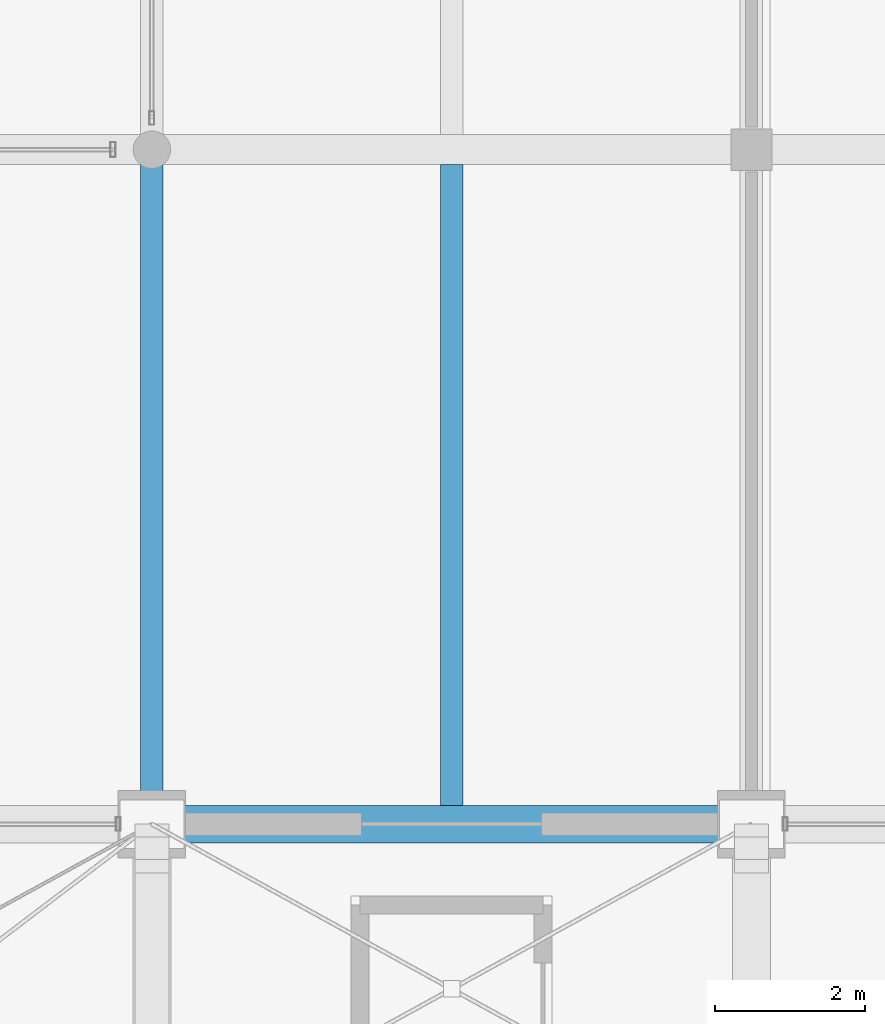
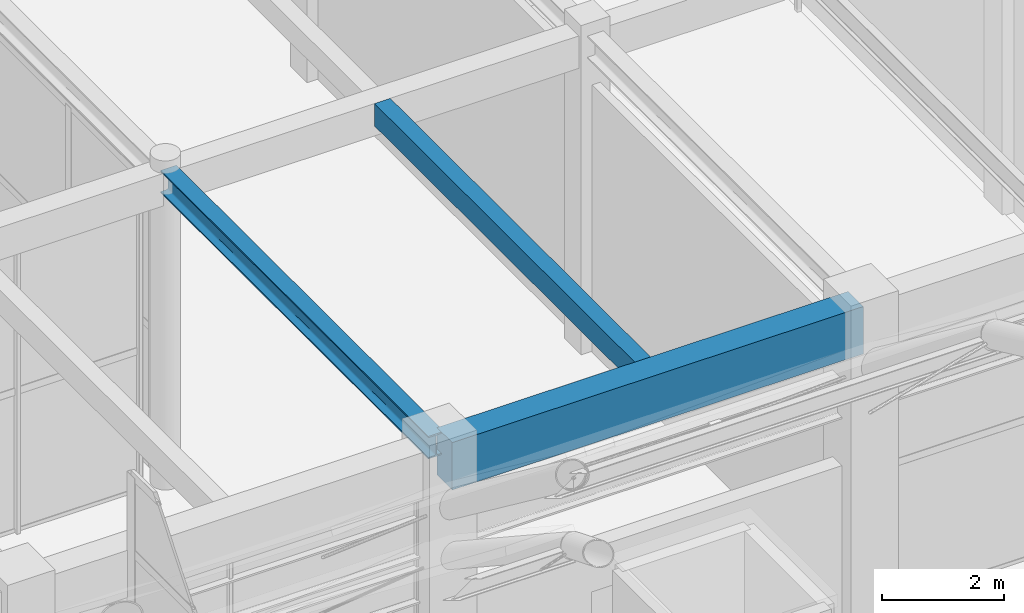
# One storey, part 80 of 163: 3 beams.
"""IFC4 building model written with IfcOpenShell, lengths in metres."""

from ifc_helpers import new_model, si_unit, direction, frame, origin, origin_2d, place, context, subcontext, project, spatial, rectangle, i_section, extrude, material, material_profile, profile_set, type_object, element, save


model = new_model("IFC4")

# Units and contexts
model_context = context("Model", 3, precision=1e-05, world=origin(), true_north=direction((0.0, 1.0)))
body_context = subcontext(model_context, "Body", "Model", "MODEL_VIEW")
ifc_project = project(units=[si_unit("LENGTHUNIT", "METRE"), si_unit("AREAUNIT", "SQUARE_METRE"), si_unit("VOLUMEUNIT", "CUBIC_METRE"), si_unit("PLANEANGLEUNIT", "RADIAN"), si_unit("MASSUNIT", "GRAM", prefix="KILO")], contexts=[model_context])

# Site, building, storey
site_placement = place(None, origin())
site = spatial("IfcSite", under=ifc_project, at=site_placement, CompositionType="ELEMENT")
building_placement = place(site_placement, origin())
building = spatial("IfcBuilding", under=site, at=building_placement, Name="Varnabhumi Central Station", CompositionType="ELEMENT")
storey_placement = place(building_placement, frame((0.0, 0.0, 9.60009765625)))
storey = spatial("IfcBuildingStorey", under=building, at=storey_placement, Name="L02", CompositionType="ELEMENT", Elevation=9.60009765625)

# Beams
ifc_material_1 = material(Name="Concrete M40", Category="concrete")
ifc_material_profile_1 = material_profile(ifc_material_1, rectangle(XDim=0.300048828125, YDim=0.449951171875, at=origin_2d()), Name="Concrete M40", Category="concrete")
ifc_profile_set_1 = profile_set([ifc_material_profile_1], Name="Concrete M40")
beam_type_1 = type_object("IfcBeamType", Name="BM-RC-300x450", PredefinedType="JOIST", material=ifc_profile_set_1)
beam_1_placement = place(storey_placement, frame((84.0, 80.25, 6.125), z_axis=(0.0, 1.0, 0.0), x_axis=(-1.0, 0.0, 0.0)))
element("IfcBeam", 1, at=beam_1_placement, inside=storey, type_object=beam_type_1, Name="Secondary Joist L02-11/12:K-L", PredefinedType="JOIST", context=body_context, shape_type="SweptSolid", body=[
    extrude(rectangle(XDim=0.300048828125, YDim=0.449951171875, at=origin_2d()), origin(), (0.0, 0.0, 1.0), 8.550048828125),
])
ifc_material_profile_2 = material_profile(ifc_material_1, rectangle(XDim=0.5, YDim=0.949951171875, at=origin_2d()), Name="Concrete M40", Category="concrete")
ifc_profile_set_2 = profile_set([ifc_material_profile_2], Name="Concrete M40")
beam_type_2 = type_object("IfcBeamType", Name="BM-RC-950x500", PredefinedType="BEAM", material=ifc_profile_set_2)
beam_2_placement = place(storey_placement, frame((80.10009765625, 80.0, 5.875), z_axis=(1.0, 0.0, 0.0), x_axis=(0.0, 1.0, 0.0)))
element("IfcBeam", 2, at=beam_2_placement, inside=storey, type_object=beam_type_2, Name="Beam L02-K:11-12", PredefinedType="BEAM", context=body_context, shape_type="SweptSolid", body=[
    extrude(rectangle(XDim=0.5, YDim=0.949951171875, at=origin_2d()), origin(), (0.0, 0.0, 1.0), 7.7998046875),
])
ifc_material_2 = material(Name="Structural steel E350", Category="steel")
ifc_material_profile_3 = material_profile(ifc_material_2, i_section(OverallWidth=0.300048828125, OverallDepth=0.449951171875, WebThickness=0.013916015625, FlangeThickness=0.02587890625, FilletRadius=0.027099609375, at=origin_2d()), Name="Structural steel E350", Category="steel")
ifc_profile_set_3 = profile_set([ifc_material_profile_3], Name="Structural steel E350")
beam_type_3 = type_object("IfcBeamType", Name="BM-STL-WPB450", PredefinedType="BEAM", material=ifc_profile_set_3)
beam_3_placement = place(storey_placement, frame((80.0, 80.10009765625, 6.125), z_axis=(0.0, 1.0, 0.0), x_axis=(-1.0, 0.0, 0.0)))
element("IfcBeam", 3, at=beam_3_placement, inside=storey, type_object=beam_type_3, Name="Beam L02-11:K-L", PredefinedType="BEAM", context=body_context, shape_type="SweptSolid", body=[
    extrude(i_section(OverallWidth=0.300048828125, OverallDepth=0.449951171875, WebThickness=0.013916015625, FlangeThickness=0.02587890625, FilletRadius=0.027099609375, at=origin_2d()), origin(), (0.0, 0.0, 1.0), 8.7998046875),
])

save(model, "model.ifc")
